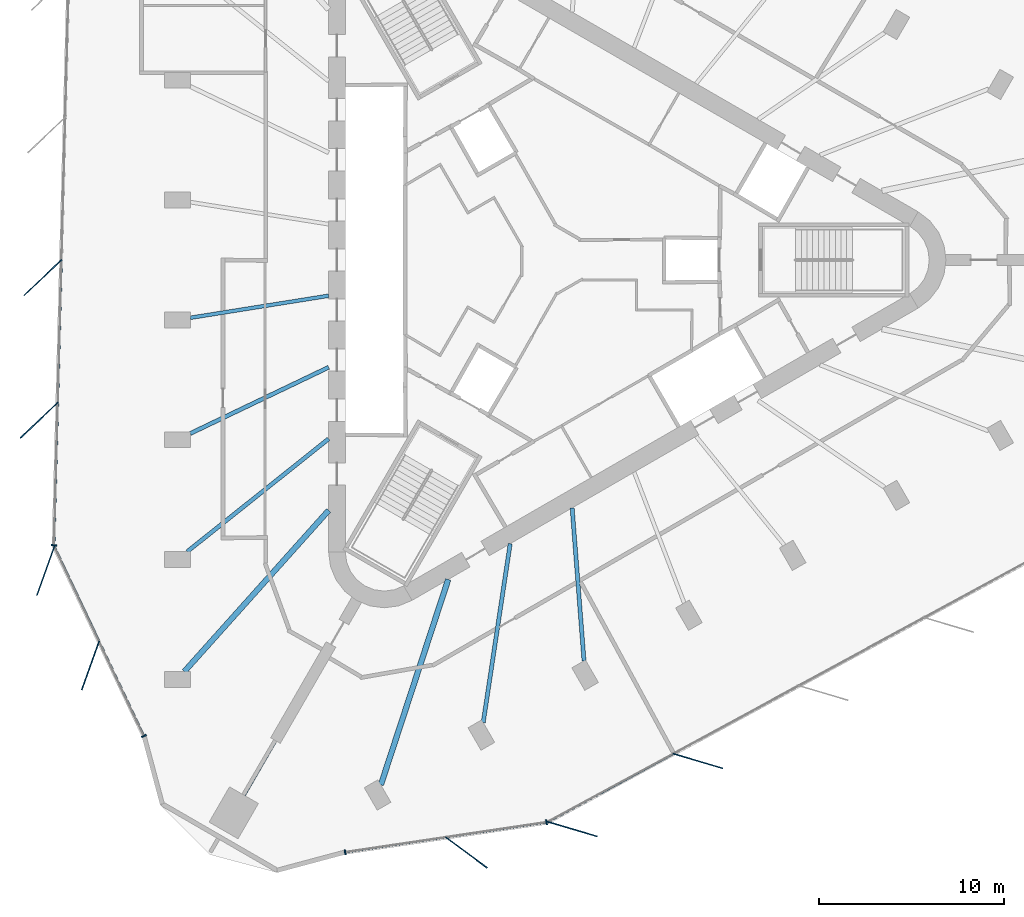
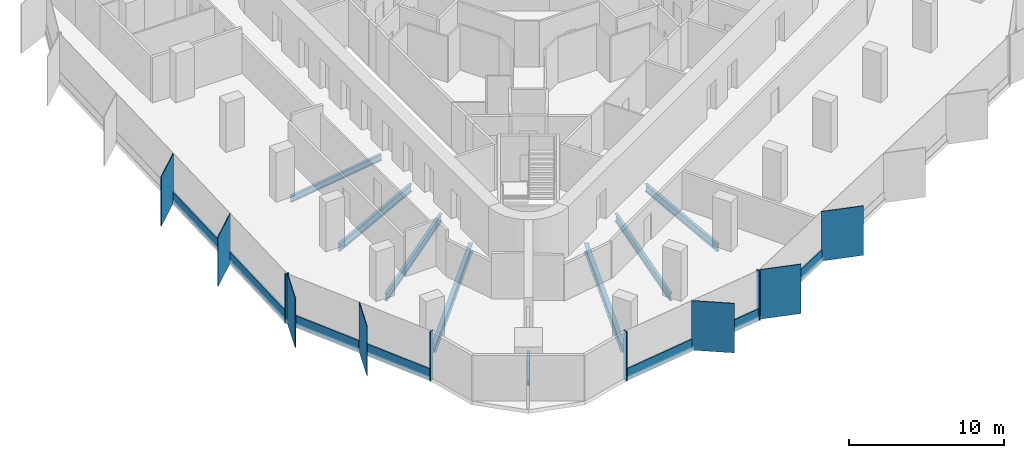
# One storey, part 2 of 13: 18 members, 8 beams, 4 elements without a shape of their own.
"""IFC4 building model written with IfcOpenShell, lengths in metres."""

from ifc_helpers import new_model, si_unit, direction, frame, origin, origin_2d, place, context, subcontext, project, spatial, rectangle, i_section, extrude, material, material_profile, profile_set, type_object, element, aggregate, save


model = new_model("IFC4")

# Units and contexts
model_context = context("Model", 3, precision=1e-05, world=origin(), true_north=direction((0.0, 1.0)))
body_context = subcontext(model_context, "Body", "Model", "MODEL_VIEW")
ifc_project = project(units=[si_unit("LENGTHUNIT", "METRE"), si_unit("AREAUNIT", "SQUARE_METRE"), si_unit("VOLUMEUNIT", "CUBIC_METRE"), si_unit("PLANEANGLEUNIT", "RADIAN"), si_unit("MASSUNIT", "GRAM", prefix="KILO")], contexts=[model_context])

# Site, building, storey
site_placement = place(None, origin())
site = spatial("IfcSite", under=ifc_project, at=site_placement, CompositionType="ELEMENT")
building_placement = place(site_placement, origin())
building = spatial("IfcBuilding", under=site, at=building_placement, Name="Tanit Gate Tower", CompositionType="ELEMENT")
storey_placement = place(building_placement, frame((0.0, 0.0, 329.89990234375)))
storey = spatial("IfcBuildingStorey", under=building, at=storey_placement, Name="L74", CompositionType="ELEMENT", Elevation=329.89990234375)

# Curtain wall, members
ifc_material_1 = material(Name="Aluminium bronze anodised and glass", Category="aluminium")
curtain_wall_type = type_object("IfcCurtainWallType", Name="Curtain wall typical high", PredefinedType="NOTDEFINED", material=ifc_material_1)
curtain_wall_1_placement = place(storey_placement, origin())
curtain_wall_1 = element("IfcCurtainWall", 1, at=curtain_wall_1_placement, inside=storey, type_object=curtain_wall_type, Name="Curtain wall L74 W2", PredefinedType="NOTDEFINED")
ifc_material_2 = material(Name="Aluminium bronze anodised", Category="aluminium")
ifc_material_profile_1 = material_profile(ifc_material_2, rectangle(XDim=2.800048828125, YDim=0.055908203125, at=origin_2d()), Name="56x2800 bronze fin mullion")
ifc_profile_set_1 = profile_set([ifc_material_profile_1], Name="Aluminium bronze anodised")
member_type_1 = type_object("IfcMemberType", Name="FIN MULLION 56x2800 bronze", PredefinedType="MULLION", material=ifc_profile_set_1)
member_1_placement = place(storey_placement, frame((-27.513427734375, -0.94970703125, -0.2998046875), z_axis=(0.0, 0.0, 1.0), x_axis=(0.725295571884, 0.688437603131, 0.0)))
member_1 = element("IfcMember", 2, at=member_1_placement, type_object=member_type_1, Name="Fin mullion L74 W2.3", PredefinedType="MULLION", context=body_context, shape_type="SweptSolid", body=[
    extrude(rectangle(XDim=2.800048828125, YDim=0.055908203125, at=origin_2d()), origin(), (0.0, 0.0, 1.0), 3.89990234375),
])
member_2_placement = place(storey_placement, frame((-27.714111328125, -8.64453125, -0.2998046875), z_axis=(0.0, 0.0, 1.0), x_axis=(0.725295571884, 0.688437603131, 0.0)))
member_2 = element("IfcMember", 3, at=member_2_placement, type_object=member_type_1, Name="Fin mullion L74 W2.4", PredefinedType="MULLION", context=body_context, shape_type="SweptSolid", body=[
    extrude(rectangle(XDim=2.800048828125, YDim=0.055908203125, at=origin_2d()), origin(), (0.0, 0.0, 1.0), 3.89990234375),
])

curtain_wall_2_placement = place(storey_placement, origin())
curtain_wall_2 = element("IfcCurtainWall", 4, at=curtain_wall_2_placement, inside=storey, type_object=curtain_wall_type, Name="Curtain wall L74 W3", PredefinedType="NOTDEFINED")
member_3_placement = place(storey_placement, frame((-27.362548828125, -16.764892578125, -0.2998046875), z_axis=(0.0, 0.0, 1.0), x_axis=(0.336992741052, 0.941507245048, 0.0)))
member_3 = element("IfcMember", 5, at=member_3_placement, type_object=member_type_1, Name="Fin mullion L74 W3.1", PredefinedType="MULLION", context=body_context, shape_type="SweptSolid", body=[
    extrude(rectangle(XDim=2.800048828125, YDim=0.055908203125, at=origin_2d()), origin(), (0.0, 0.0, 1.0), 3.89990234375),
])
member_4_placement = place(storey_placement, frame((-24.94775390625, -21.872314453125, -0.2998046875), z_axis=(0.0, 0.0, 1.0), x_axis=(0.336992741052, 0.941507245048, 0.0)))
member_4 = element("IfcMember", 6, at=member_4_placement, type_object=member_type_1, Name="Fin mullion L74 W3.2", PredefinedType="MULLION", context=body_context, shape_type="SweptSolid", body=[
    extrude(rectangle(XDim=2.800048828125, YDim=0.055908203125, at=origin_2d()), origin(), (0.0, 0.0, 1.0), 3.89990234375),
])

# Curtain wall, member
curtain_wall_3_placement = place(storey_placement, origin())
curtain_wall_3 = element("IfcCurtainWall", 7, at=curtain_wall_3_placement, inside=storey, type_object=curtain_wall_type, Name="Curtain wall L74 SE1", PredefinedType="NOTDEFINED")
member_5_placement = place(storey_placement, frame((-4.669921875, -31.963134765625, -0.2998046875), z_axis=(0.0, 0.0, 1.0), x_axis=(-0.803493025868, 0.595314166958, 0.0)))
member_5 = element("IfcMember", 8, at=member_5_placement, type_object=member_type_1, Name="Fin mullion L74 SE1.2", PredefinedType="MULLION", context=body_context, shape_type="SweptSolid", body=[
    extrude(rectangle(XDim=2.800048828125, YDim=0.055908203125, at=origin_2d()), origin(), (0.0, 0.0, 1.0), 3.89990234375),
])

# Curtain wall, members
curtain_wall_4_placement = place(storey_placement, origin())
curtain_wall_4 = element("IfcCurtainWall", 9, at=curtain_wall_4_placement, inside=storey, type_object=curtain_wall_type, Name="Curtain wall L74 SE2", PredefinedType="NOTDEFINED")
member_6_placement = place(storey_placement, frame((1.05029296875, -30.699951171875, -0.2998046875), z_axis=(0.0, 0.0, 1.0), x_axis=(-0.958852239174, 0.283905588939, 0.0)))
member_6 = element("IfcMember", 10, at=member_6_placement, type_object=member_type_1, Name="Fin mullion L74 SE2.1", PredefinedType="MULLION", context=body_context, shape_type="SweptSolid", body=[
    extrude(rectangle(XDim=2.800048828125, YDim=0.055908203125, at=origin_2d()), origin(), (0.0, 0.0, 1.0), 3.89990234375),
])
member_7_placement = place(storey_placement, frame((7.814697265625, -27.026123046875, -0.2998046875), z_axis=(0.0, 0.0, 1.0), x_axis=(-0.958852239174, 0.283905588939, 0.0)))
member_7 = element("IfcMember", 11, at=member_7_placement, type_object=member_type_1, Name="Fin mullion L74 SE2.2", PredefinedType="MULLION", context=body_context, shape_type="SweptSolid", body=[
    extrude(rectangle(XDim=2.800048828125, YDim=0.055908203125, at=origin_2d()), origin(), (0.0, 0.0, 1.0), 3.89990234375),
])

# Member
ifc_material_3 = material(Name="Aluminium bronze anodised", Category="aluminium")
ifc_material_profile_2 = material_profile(ifc_material_3, rectangle(XDim=0.280029296875, YDim=0.080078125, at=origin_2d()), Name="80x280 bronze mullion")
ifc_profile_set_2 = profile_set([ifc_material_profile_2], Name="Aluminium bronze anodised")
member_type_2 = type_object("IfcMemberType", Name="Mullion 80x280 typical high", PredefinedType="MULLION", material=ifc_profile_set_2)
member_8_placement = place(storey_placement, frame((-26.91357421875, -15.389404296875, -0.2998046875), z_axis=(0.0, 0.0, 1.0), x_axis=(0.999660314842, -0.026062519646, 0.0)))
member_8 = element("IfcMember", 12, at=member_8_placement, type_object=member_type_2, Name="Mullion L74 W2.5", PredefinedType="MULLION", context=body_context, shape_type="SweptSolid", body=[
    extrude(rectangle(XDim=0.280029296875, YDim=0.080078125, at=origin_2d()), origin(), (0.0, 0.0, 1.0), 3.89990234375),
])

member_9_placement = place(storey_placement, frame((-22.067626953125, -25.680419921875, -0.2998046875), z_axis=(0.0, 0.0, 1.0), x_axis=(0.904036009918, 0.427456305102, 0.0)))
member_9 = element("IfcMember", 13, at=member_9_placement, type_object=member_type_2, Name="Mullion L74 W3.3", PredefinedType="MULLION", context=body_context, shape_type="SweptSolid", body=[
    extrude(rectangle(XDim=0.280029296875, YDim=0.080078125, at=origin_2d()), origin(), (0.0, 0.0, 1.0), 3.89990234375),
])

member_10_placement = place(storey_placement, frame((-11.210205078125, -31.94970703125, -0.2998046875), z_axis=(0.0, 0.0, 1.0), x_axis=(-0.147204682835, 0.98910605162, 0.0)))
member_10 = element("IfcMember", 14, at=member_10_placement, type_object=member_type_2, Name="Mullion L74 SE1.1", PredefinedType="MULLION", context=body_context, shape_type="SweptSolid", body=[
    extrude(rectangle(XDim=0.280029296875, YDim=0.080078125, at=origin_2d()), origin(), (0.0, 0.0, 1.0), 3.89990234375),
])

member_11_placement = place(storey_placement, frame((-0.34765625, -30.3330078125, -0.2998046875), z_axis=(0.0, 0.0, 1.0), x_axis=(-0.147204682835, 0.98910605162, 0.0)))
member_11 = element("IfcMember", 15, at=member_11_placement, type_object=member_type_2, Name="Mullion L74 SE1.3", PredefinedType="MULLION", context=body_context, shape_type="SweptSolid", body=[
    extrude(rectangle(XDim=0.280029296875, YDim=0.080078125, at=origin_2d()), origin(), (0.0, 0.0, 1.0), 3.89990234375),
])

# Beams
ifc_material_4 = material(Name="Steel S355", Category="steel")
ifc_material_profile_3 = material_profile(ifc_material_4, i_section(OverallWidth=0.300048828125, OverallDepth=0.68994140625, WebThickness=0.014404296875, FlangeThickness=0.027099609375, FilletRadius=0.027099609375, at=origin_2d()), Name="HEA 700")
ifc_profile_set_3 = profile_set([ifc_material_profile_3], Name="Steel S355")
beam_type_1 = type_object("IfcBeamType", Name="RADIAL GIRDER HEA 700 S355", PredefinedType="BEAM", material=ifc_profile_set_3)
beam_1_placement = place(storey_placement, frame((-19.8828125, -22.198486328125, -0.64501953125), z_axis=(0.667183957843, 0.744892989896, 0.0), x_axis=(-0.744892989896, 0.667183957843, 0.0)))
element("IfcBeam", 16, at=beam_1_placement, inside=storey, type_object=beam_type_1, Name="RADIAL GIRDER", PredefinedType="BEAM", context=body_context, shape_type="SweptSolid", body=[
    extrude(i_section(OverallWidth=0.300048828125, OverallDepth=0.68994140625, WebThickness=0.014404296875, FlangeThickness=0.027099609375, FilletRadius=0.027099609375, at=origin_2d()), origin(), (0.0, 0.0, 1.0), 11.662109375),
])
beam_2_placement = place(storey_placement, frame((-9.283203125, -28.318359375, -0.64501953125), z_axis=(0.311519991774, 0.950239598588, 0.0), x_axis=(-0.950239598588, 0.311519991774, 0.0)))
element("IfcBeam", 17, at=beam_2_placement, inside=storey, type_object=beam_type_1, Name="RADIAL GIRDER", PredefinedType="BEAM", context=body_context, shape_type="SweptSolid", body=[
    extrude(i_section(OverallWidth=0.300048828125, OverallDepth=0.68994140625, WebThickness=0.014404296875, FlangeThickness=0.027099609375, FilletRadius=0.027099609375, at=origin_2d()), origin(), (0.0, 0.0, 1.0), 11.662353515625),
])
ifc_material_5 = material(Name="Steel S355", Category="steel")
ifc_material_profile_4 = material_profile(ifc_material_5, i_section(OverallWidth=0.179931640625, OverallDepth=0.39990234375, WebThickness=0.008544921875, FlangeThickness=0.013427734375, FilletRadius=0.02099609375, at=origin_2d()), Name="IPE 400")
ifc_profile_set_4 = profile_set([ifc_material_profile_4], Name="Steel S355")
beam_type_2 = type_object("IfcBeamType", Name="RADIAL GIRDER IPE 400 S355", PredefinedType="BEAM", material=ifc_profile_set_4)
beam_3_placement = place(storey_placement, frame((-16.66748046875, -28.868896484375, -0.5), z_axis=(0.500041741429, 0.866001303018, 0.0), x_axis=(-0.866001303018, 0.500041741429, 0.0)))
element("IfcBeam", 18, at=beam_3_placement, inside=storey, type_object=beam_type_2, Name="RADIAL GIRDER", PredefinedType="BEAM", context=body_context, shape_type="SweptSolid", body=[
    extrude(i_section(OverallWidth=0.179931640625, OverallDepth=0.39990234375, WebThickness=0.008544921875, FlangeThickness=0.013427734375, FilletRadius=0.02099609375, at=origin_2d()), origin(), (0.0, 0.0, 1.0), 3.397705078125),
])
ifc_material_6 = material(Name="Steel S355", Category="steel")
ifc_material_profile_5 = material_profile(ifc_material_6, i_section(OverallWidth=0.199951171875, OverallDepth=0.5, WebThickness=0.01025390625, FlangeThickness=0.01611328125, FilletRadius=0.02099609375, at=origin_2d()), Name="IPE 500")
ifc_profile_set_5 = profile_set([ifc_material_profile_5], Name="Steel S355")
beam_type_3 = type_object("IfcBeamType", Name="RADIAL GIRDER IPE 500 S355", PredefinedType="BEAM", material=ifc_profile_set_5)
beam_4_placement = place(storey_placement, frame((-19.563720703125, -3.120361328125, -0.5498046875), z_axis=(0.987516531299, 0.157515397379, 0.0), x_axis=(-0.157515397379, 0.987516531299, 0.0)))
element("IfcBeam", 19, at=beam_4_placement, inside=storey, type_object=beam_type_3, Name="RADIAL GIRDER", PredefinedType="BEAM", context=body_context, shape_type="SweptSolid", body=[
    extrude(i_section(OverallWidth=0.199951171875, OverallDepth=0.5, WebThickness=0.01025390625, FlangeThickness=0.01611328125, FilletRadius=0.02099609375, at=origin_2d()), origin(), (0.0, 0.0, 1.0), 7.555908203125),
])
ifc_material_7 = material(Name="Steel S355", Category="steel")
ifc_material_profile_6 = material_profile(ifc_material_7, i_section(OverallWidth=0.219970703125, OverallDepth=0.60009765625, WebThickness=0.011962890625, FlangeThickness=0.01904296875, FilletRadius=0.02392578125, at=origin_2d()), Name="IPE 600")
ifc_profile_set_6 = profile_set([ifc_material_profile_6], Name="Steel S355")
beam_type_4 = type_object("IfcBeamType", Name="RADIAL GIRDER IPE 600 S355", PredefinedType="BEAM", material=ifc_profile_set_6)
beam_5_placement = place(storey_placement, frame((-19.563720703125, -9.36083984375, -0.599853515625), z_axis=(0.902054789369, 0.431621543688, 0.0), x_axis=(-0.431621543688, 0.902054789369, 0.0)))
element("IfcBeam", 20, at=beam_5_placement, inside=storey, type_object=beam_type_4, Name="RADIAL GIRDER", PredefinedType="BEAM", context=body_context, shape_type="SweptSolid", body=[
    extrude(i_section(OverallWidth=0.219970703125, OverallDepth=0.60009765625, WebThickness=0.011962890625, FlangeThickness=0.01904296875, FilletRadius=0.02392578125, at=origin_2d()), origin(), (0.0, 0.0, 1.0), 8.27197265625),
])
beam_6_placement = place(storey_placement, frame((-19.730712890625, -15.734619140625, -0.599853515625), z_axis=(0.781827225561, 0.623495139814, 0.0), x_axis=(-0.623495139814, 0.781827225561, 0.0)))
element("IfcBeam", 21, at=beam_6_placement, inside=storey, type_object=beam_type_4, Name="RADIAL GIRDER", PredefinedType="BEAM", context=body_context, shape_type="SweptSolid", body=[
    extrude(i_section(OverallWidth=0.219970703125, OverallDepth=0.60009765625, WebThickness=0.011962890625, FlangeThickness=0.01904296875, FilletRadius=0.02392578125, at=origin_2d()), origin(), (0.0, 0.0, 1.0), 9.757568359375),
])
beam_7_placement = place(storey_placement, frame((-3.76123046875, -24.95458984375, -0.599853515625), z_axis=(0.1490500566, 0.988829651976, 0.0), x_axis=(-0.988829651976, 0.1490500566, 0.0)))
element("IfcBeam", 22, at=beam_7_placement, inside=storey, type_object=beam_type_4, Name="RADIAL GIRDER", PredefinedType="BEAM", context=body_context, shape_type="SweptSolid", body=[
    extrude(i_section(OverallWidth=0.219970703125, OverallDepth=0.60009765625, WebThickness=0.011962890625, FlangeThickness=0.01904296875, FilletRadius=0.02392578125, at=origin_2d()), origin(), (0.0, 0.0, 1.0), 9.75732421875),
])
beam_8_placement = place(storey_placement, frame((1.675048828125, -21.623046875, -0.599853515625), z_axis=(-0.077240429266, 0.997012495452, 0.0), x_axis=(-0.997012495452, -0.077240429266, 0.0)))
element("IfcBeam", 23, at=beam_8_placement, inside=storey, type_object=beam_type_4, Name="RADIAL GIRDER", PredefinedType="BEAM", context=body_context, shape_type="SweptSolid", body=[
    extrude(i_section(OverallWidth=0.219970703125, OverallDepth=0.60009765625, WebThickness=0.011962890625, FlangeThickness=0.01904296875, FilletRadius=0.02392578125, at=origin_2d()), origin(), (0.0, 0.0, 1.0), 8.271728515625),
])

# Member
ifc_material_8 = material(Name="Aluminium bronze anodised", Category="aluminium")
ifc_material_profile_7 = material_profile(ifc_material_8, rectangle(XDim=0.1201171875, YDim=0.89990234375, at=origin_2d()), Name="120x900 bronze transom")
ifc_profile_set_7 = profile_set([ifc_material_profile_7], Name="Aluminium bronze anodised")
member_type_3 = type_object("IfcMemberType", Name="Transom 120x900 typical high", PredefinedType="USERDEFINED", material=ifc_profile_set_7)
member_12_placement = place(storey_placement, frame((-26.513427734375, -0.03955078125, 0.150146484375), z_axis=(-0.026056361338, -0.999660475378, 0.0), x_axis=(0.999660475378, -0.026056361338, 0.0)))
member_12 = element("IfcMember", 24, at=member_12_placement, type_object=member_type_3, Name="Transom L74 W2.3", ObjectType="TRANSOM", PredefinedType="USERDEFINED", context=body_context, shape_type="SweptSolid", body=[
    extrude(rectangle(XDim=0.1201171875, YDim=0.89990234375, at=origin_2d()), origin(), (0.0, 0.0, 1.0), 7.61767578125),
])

member_13_placement = place(storey_placement, frame((-26.7138671875, -7.734375, 0.150146484375), z_axis=(-0.026088389183, -0.999659640052, 0.0), x_axis=(0.999659640052, -0.026088389183, 0.0)))
member_13 = element("IfcMember", 25, at=member_13_placement, type_object=member_type_3, Name="Transom L74 W2.4", ObjectType="TRANSOM", PredefinedType="USERDEFINED", context=body_context, shape_type="SweptSolid", body=[
    extrude(rectangle(XDim=0.1201171875, YDim=0.89990234375, at=origin_2d()), origin(), (0.0, 0.0, 1.0), 7.61767578125),
])

aggregate(curtain_wall_1, [member_1, member_2, member_8, member_12, member_13])

member_14_placement = place(storey_placement, frame((-26.88037109375, -15.501708984375, 0.150146484375), z_axis=(0.42743238128, -0.904047321457, 0.0), x_axis=(0.904047321457, 0.42743238128, 0.0)))
member_14 = element("IfcMember", 26, at=member_14_placement, type_object=member_type_3, Name="Transom L74 W3.1", ObjectType="TRANSOM", PredefinedType="USERDEFINED", context=body_context, shape_type="SweptSolid", body=[
    extrude(rectangle(XDim=0.1201171875, YDim=0.89990234375, at=origin_2d()), origin(), (0.0, 0.0, 1.0), 5.569580078125),
])

member_15_placement = place(storey_placement, frame((-24.46533203125, -20.609130859375, 0.150146484375), z_axis=(0.427449320451, -0.904039312445, 0.0), x_axis=(0.904039312445, 0.427449320451, 0.0)))
member_15 = element("IfcMember", 27, at=member_15_placement, type_object=member_type_3, Name="Transom L74 W3.2", ObjectType="TRANSOM", PredefinedType="USERDEFINED", context=body_context, shape_type="SweptSolid", body=[
    extrude(rectangle(XDim=0.1201171875, YDim=0.89990234375, at=origin_2d()), origin(), (0.0, 0.0, 1.0), 5.5693359375),
])

aggregate(curtain_wall_2, [member_3, member_4, member_9, member_14, member_15])

member_16_placement = place(storey_placement, frame((-11.170654296875, -31.94384765625, 0.150146484375), z_axis=(0.989103182264, 0.147223961487, 0.0), x_axis=(-0.147223961487, 0.989103182264, 0.0)))
member_16 = element("IfcMember", 28, at=member_16_placement, type_object=member_type_3, Name="Transom L74 SE1.1", ObjectType="TRANSOM", PredefinedType="USERDEFINED", context=body_context, shape_type="SweptSolid", body=[
    extrude(rectangle(XDim=0.1201171875, YDim=0.89990234375, at=origin_2d()), origin(), (0.0, 0.0, 1.0), 5.4111328125),
])

member_17_placement = place(storey_placement, frame((-5.739501953125, -31.135498046875, 0.150146484375), z_axis=(0.989104160152, 0.147217391533, 0.0), x_axis=(-0.147217391533, 0.989104160152, 0.0)))
member_17 = element("IfcMember", 29, at=member_17_placement, type_object=member_type_3, Name="Transom L74 SE1.2", ObjectType="TRANSOM", PredefinedType="USERDEFINED", context=body_context, shape_type="SweptSolid", body=[
    extrude(rectangle(XDim=0.1201171875, YDim=0.89990234375, at=origin_2d()), origin(), (0.0, 0.0, 1.0), 5.411376953125),
])

aggregate(curtain_wall_3, [member_10, member_5, member_11, member_16, member_17])

member_18_placement = place(storey_placement, frame((-0.23779296875, -30.2890625, 0.150146484375), z_axis=(0.878767412966, 0.477250284346, 0.0), x_axis=(-0.477250284346, 0.878767412966, 0.0)))
member_18 = element("IfcMember", 30, at=member_18_placement, type_object=member_type_3, Name="Transom L74 SE2.1", ObjectType="TRANSOM", PredefinedType="USERDEFINED", context=body_context, shape_type="SweptSolid", body=[
    extrude(rectangle(XDim=0.1201171875, YDim=0.89990234375, at=origin_2d()), origin(), (0.0, 0.0, 1.0), 7.61767578125),
])

aggregate(curtain_wall_4, [member_6, member_7, member_18])

save(model, "model.ifc")
